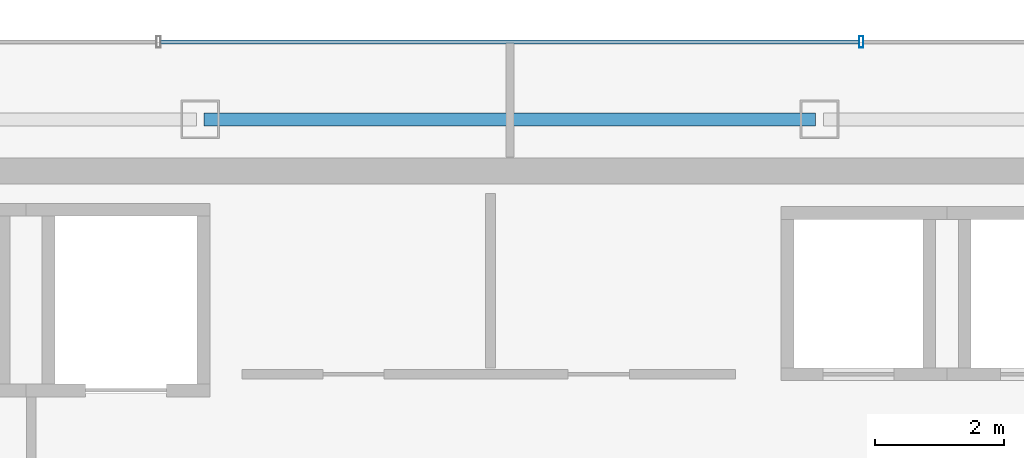
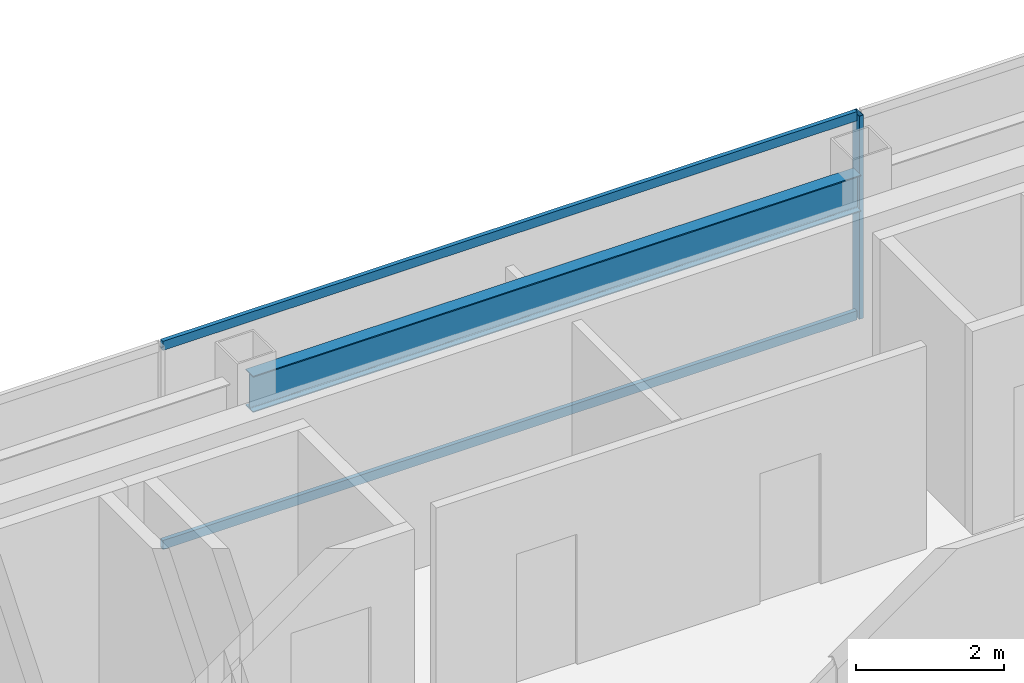
# One storey, part 20 of 30: 3 members, 1 beam, 1 element without a shape of its own.
"""IFC4 building model written with IfcOpenShell, lengths in metres."""

from ifc_helpers import new_model, si_unit, direction, frame, origin, origin_2d, place, context, subcontext, project, spatial, hollow_rectangle, i_section, extrude, material, material_profile, profile_set, type_object, element, aggregate, save


model = new_model("IFC4")

# Units and contexts
model_context = context("Model", 3, precision=1e-05, world=origin(), true_north=direction((0.0, 1.0)))
body_context = subcontext(model_context, "Body", "Model", "MODEL_VIEW")
ifc_project = project(units=[si_unit("LENGTHUNIT", "METRE"), si_unit("AREAUNIT", "SQUARE_METRE"), si_unit("VOLUMEUNIT", "CUBIC_METRE"), si_unit("PLANEANGLEUNIT", "RADIAN"), si_unit("MASSUNIT", "GRAM", prefix="KILO")], contexts=[model_context])

# Site, building, storey
site_placement = place(None, origin())
site = spatial("IfcSite", under=ifc_project, at=site_placement, CompositionType="ELEMENT")
building_placement = place(site_placement, origin())
building = spatial("IfcBuilding", under=site, at=building_placement, Name="Saevonmaru Cultural Tower", CompositionType="ELEMENT")
storey_placement = place(building_placement, frame((0.0, 0.0, 272.39990234375)))
storey = spatial("IfcBuildingStorey", under=building, at=storey_placement, Name="L64", CompositionType="ELEMENT", Elevation=272.39990234375)

# Beam
ifc_material_1 = material(Name="Steel SM355", Category="steel")
ifc_material_profile_1 = material_profile(ifc_material_1, i_section(OverallWidth=0.199951171875, OverallDepth=0.60009765625, WebThickness=0.010986328125, FlangeThickness=0.01708984375, FilletRadius=0.02197265625, at=origin_2d()), Name="H-600x200x11x17")
ifc_profile_set_1 = profile_set([ifc_material_profile_1], Name="Steel SM355")
beam_type = type_object("IfcBeamType", Name="BM-SP-H600", PredefinedType="SPANDREL", material=ifc_profile_set_1)
beam_placement = place(storey_placement, frame((25.260009765625, 54.800048828125, 3.050048828125), z_axis=(1.0, 0.0, 0.0), x_axis=(0.0, 1.0, 0.0)))
element("IfcBeam", 1, at=beam_placement, inside=storey, type_object=beam_type, Name="L64 North Spine Girder 3", PredefinedType="SPANDREL", context=body_context, shape_type="SweptSolid", body=[
    extrude(i_section(OverallWidth=0.199951171875, OverallDepth=0.60009765625, WebThickness=0.010986328125, FlangeThickness=0.01708984375, FilletRadius=0.02197265625, at=origin_2d()), origin(), (0.0, 0.0, 1.0), 9.47998046875),
])

# Curtain wall, members
ifc_material_2 = material(Name="Satin Bronze Anodised Aluminium", Category="aluminium")
curtain_wall_type = type_object("IfcCurtainWallType", Name="CW-TYP-B", PredefinedType="NOTDEFINED", material=ifc_material_2)
curtain_wall_placement = place(storey_placement, origin())
curtain_wall = element("IfcCurtainWall", 2, at=curtain_wall_placement, inside=storey, type_object=curtain_wall_type, Name="L64 North Spine Unitised Curtain Wall E10B", PredefinedType="NOTDEFINED")
ifc_material_profile_2 = material_profile(ifc_material_2, hollow_rectangle(XDim=0.06494140625, YDim=0.179931640625, WallThickness=0.00390625, at=origin_2d()), Name="ALU-MULL-180x65x4")
ifc_profile_set_2 = profile_set([ifc_material_profile_2], Name="Satin Bronze Anodised Aluminium")
member_type_1 = type_object("IfcMemberType", Name="ML-CW-180x65", PredefinedType="MULLION", material=ifc_profile_set_2)
member_1_placement = place(storey_placement, frame((35.44677734375, 56.0, 0.0), z_axis=(0.0, 0.0, 1.0), x_axis=(-1.0, 0.0, 0.0)))
member_1 = element("IfcMember", 3, at=member_1_placement, type_object=member_type_1, Name="CW-TW-L64-E10B mullion 2", PredefinedType="MULLION", context=body_context, shape_type="SweptSolid", body=[
    extrude(hollow_rectangle(XDim=0.06494140625, YDim=0.179931640625, WallThickness=0.00390625, at=origin_2d()), origin(), (0.0, 0.0, 1.0), 3.35009765625),
])
ifc_material_profile_3 = material_profile(ifc_material_2, hollow_rectangle(XDim=0.06494140625, YDim=0.14990234375, WallThickness=0.00390625, at=origin_2d()), Name="ALU-TRAN-150x65x4")
ifc_profile_set_3 = profile_set([ifc_material_profile_3], Name="Satin Bronze Anodised Aluminium")
member_type_2 = type_object("IfcMemberType", Name="TR-CW-150x65", PredefinedType="USERDEFINED", material=ifc_profile_set_3)
member_2_placement = place(storey_placement, frame((35.4140625, 56.0, 0.03271484375), z_axis=(-1.0, 0.0, 0.0), x_axis=(0.0, -1.0, 0.0)))
member_2 = element("IfcMember", 4, at=member_2_placement, type_object=member_type_2, Name="CW-TW-L64-E10B transom 2.1", ObjectType="TRANSOM", PredefinedType="USERDEFINED", context=body_context, shape_type="SweptSolid", body=[
    extrude(hollow_rectangle(XDim=0.06494140625, YDim=0.14990234375, WallThickness=0.00390625, at=origin_2d()), origin(), (0.0, 0.0, 1.0), 10.828125),
])
member_3_placement = place(storey_placement, frame((35.4140625, 56.0, 3.317626953125), z_axis=(-1.0, 0.0, 0.0), x_axis=(0.0, -1.0, 0.0)))
member_3 = element("IfcMember", 5, at=member_3_placement, type_object=member_type_2, Name="CW-TW-L64-E10B transom 2.2", ObjectType="TRANSOM", PredefinedType="USERDEFINED", context=body_context, shape_type="SweptSolid", body=[
    extrude(hollow_rectangle(XDim=0.06494140625, YDim=0.14990234375, WallThickness=0.00390625, at=origin_2d()), origin(), (0.0, 0.0, 1.0), 10.828125),
])
aggregate(curtain_wall, [member_1, member_2, member_3])

save(model, "model.ifc")
